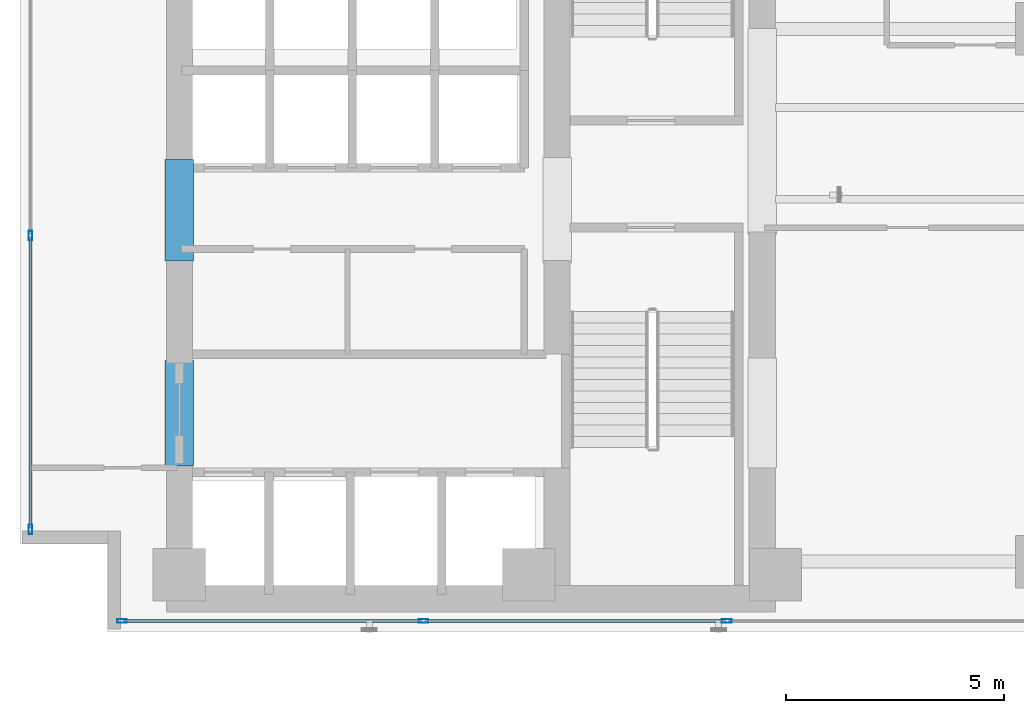
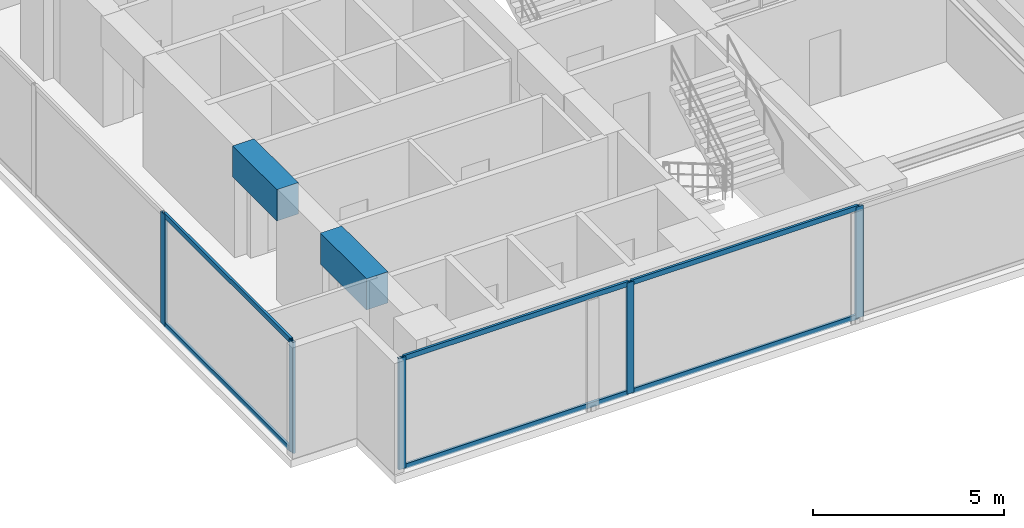
# One storey, part 2 of 23: 11 members, 2 beams, 2 elements without a shape of their own.
"""IFC4 building model written with IfcOpenShell, lengths in metres."""

from ifc_helpers import new_model, si_unit, direction, frame, origin, origin_with_axes, origin_2d, place, context, subcontext, project, spatial, rectangle, hollow_rectangle, extrude, source, transform, mapped, material, layer, layer_set, material_profile, profile_set, type_object, element, aggregate, save


model = new_model("IFC4")

# Units and contexts
model_context = context("Model", 3, precision=1e-05, world=origin(), true_north=direction((0.0, 1.0)))
body_context = subcontext(model_context, "Body", "Model", "MODEL_VIEW")
ifc_project = project(units=[si_unit("LENGTHUNIT", "METRE"), si_unit("AREAUNIT", "SQUARE_METRE"), si_unit("VOLUMEUNIT", "CUBIC_METRE"), si_unit("PLANEANGLEUNIT", "RADIAN"), si_unit("MASSUNIT", "GRAM", prefix="KILO")], contexts=[model_context])

# Site, building, storey
site_placement = place(None, origin())
site = spatial("IfcSite", under=ifc_project, at=site_placement, CompositionType="ELEMENT")
building_placement = place(site_placement, origin())
building = spatial("IfcBuilding", under=site, at=building_placement, Name="Kolvaren Waterfront Exchange", CompositionType="ELEMENT")
storey_placement = place(building_placement, frame((0.0, 0.0, 188.0)))
storey = spatial("IfcBuildingStorey", under=building, at=storey_placement, Name="L48", CompositionType="ELEMENT", Elevation=188.0)

# Beams
ifc_material_1 = material(Name="Concrete C60/75", Category="concrete")
ifc_material_profile_1 = material_profile(ifc_material_1, rectangle(XDim=0.64990234375, YDim=1.0, at=origin_2d()), Name="RC-CB-1000x650")
ifc_profile_set_1 = profile_set([ifc_material_profile_1], Name="Concrete C60/75")
beam_type = type_object("IfcBeamType", Name="STR-CB-1000", PredefinedType="SPANDREL", material=ifc_profile_set_1)
beam_1_placement = place(storey_placement, frame((7.449951171875, 7.389892578125, 3.06005859375), z_axis=(0.0, 1.0, 0.0), x_axis=(-1.0, 0.0, 0.0)))
element("IfcBeam", 1, at=beam_1_placement, inside=storey, type_object=beam_type, Name="L48 core coupling beam 3", PredefinedType="SPANDREL", context=body_context, shape_type="SweptSolid", body=[
    extrude(rectangle(XDim=0.64990234375, YDim=1.0, at=origin_2d()), origin(), (0.0, 0.0, 1.0), 2.420166015625),
])
beam_2_placement = place(storey_placement, frame((7.449951171875, 12.090087890625, 3.06005859375), z_axis=(0.0, 1.0, 0.0), x_axis=(-1.0, 0.0, 0.0)))
element("IfcBeam", 2, at=beam_2_placement, inside=storey, type_object=beam_type, Name="L48 core coupling beam 4", PredefinedType="SPANDREL", context=body_context, shape_type="SweptSolid", body=[
    extrude(rectangle(XDim=0.64990234375, YDim=1.0, at=origin_2d()), origin(), (0.0, 0.0, 1.0), 2.31982421875),
])

# Curtain wall, members
ifc_material_2 = material(Name="Anodised bronze aluminium 6063-T6", Category="aluminium")
ifc_layer_1 = layer(ifc_material_2, 0.219970703125, Name="Anodised bronze aluminium 6063-T6")
ifc_layer_set_1 = layer_set([ifc_layer_1], Name="Anodised bronze aluminium 6063-T6")
curtain_wall_type_1 = type_object("IfcCurtainWallType", Name="ARC-CW-SYS1", PredefinedType="USERDEFINED", material=ifc_layer_set_1)
curtain_wall_1_placement = place(storey_placement, origin())
curtain_wall_1 = element("IfcCurtainWall", 3, at=curtain_wall_1_placement, inside=storey, type_object=curtain_wall_type_1, Name="L48 stick curtain wall CW1 (CW-L48-S)", ObjectType="STICK CURTAIN WALL", PredefinedType="USERDEFINED")
ifc_material_3 = material(Name="Anodised aluminium 6063-T6", Category="aluminium")
ifc_material_profile_2 = material_profile(ifc_material_3, hollow_rectangle(XDim=0.080078125, YDim=0.219970703125, WallThickness=0.0048828125, at=origin_2d()), Name="ALU-MUL-220x80x5")
ifc_profile_set_2 = profile_set([ifc_material_profile_2], Name="Anodised aluminium 6063-T6")
member_type_1 = type_object("IfcMemberType", Name="ARC-CWM-220", PredefinedType="MULLION", material=ifc_profile_set_2)
shared_shape_1 = source(origin_with_axes(), body_context, "Body", "SweptSolid", [
    extrude(hollow_rectangle(XDim=0.080078125, YDim=0.219970703125, WallThickness=0.0048828125, at=origin_2d()), origin(), (0.0, 0.0, 1.0), 3.56005859375),
])
member_1_placement = place(storey_placement, frame((6.139892578125, 3.840087890625, 0.0), z_axis=(0.0, 0.0, 1.0), x_axis=(0.0, 1.0, 0.0)))
member_1 = element("IfcMember", 4, at=member_1_placement, type_object=member_type_1, Name="CW1 mullion 1", PredefinedType="MULLION", context=body_context, shape_type="MappedRepresentation", body=[
    mapped(shared_shape_1, transform((0.0, 0.0, 0.0), x_axis=(1.0, 0.0, 0.0), y_axis=(0.0, 1.0, 0.0), z_axis=(0.0, 0.0, 1.0), scale=1.0)),
])
member_2_placement = place(storey_placement, frame((13.04296875, 3.840087890625, 0.0), z_axis=(0.0, 0.0, 1.0), x_axis=(0.0, 1.0, 0.0)))
member_2 = element("IfcMember", 5, at=member_2_placement, type_object=member_type_1, Name="CW1 mullion 2", PredefinedType="MULLION", context=body_context, shape_type="MappedRepresentation", body=[
    mapped(shared_shape_1, transform((0.0, 0.0, 0.0), x_axis=(1.0, 0.0, 0.0), y_axis=(0.0, 1.0, 0.0), z_axis=(0.0, 0.0, 1.0), scale=1.0)),
])
member_3_placement = place(storey_placement, frame((19.985595703125, 3.840087890625, 0.0), z_axis=(0.0, 0.0, 1.0), x_axis=(0.0, 1.0, 0.0)))
member_3 = element("IfcMember", 6, at=member_3_placement, type_object=member_type_1, Name="CW1 mullion 3", PredefinedType="MULLION", context=body_context, shape_type="MappedRepresentation", body=[
    mapped(shared_shape_1, transform((0.0, 0.0, 0.0), x_axis=(1.0, 0.0, 0.0), y_axis=(0.0, 1.0, 0.0), z_axis=(0.0, 0.0, 1.0), scale=1.0)),
])

ifc_layer_2 = layer(ifc_material_3, 0.219970703125, Name="Anodised aluminium 6063-T6")
ifc_layer_set_2 = layer_set([ifc_layer_2], Name="Anodised aluminium 6063-T6")
curtain_wall_type_2 = type_object("IfcCurtainWallType", Name="ARC-CW-SYS2", PredefinedType="USERDEFINED", material=ifc_layer_set_2)
curtain_wall_2_placement = place(storey_placement, origin())
curtain_wall_2 = element("IfcCurtainWall", 7, at=curtain_wall_2_placement, inside=storey, type_object=curtain_wall_type_2, Name="L48 stick curtain wall CW2 (CW-L48-W)", ObjectType="STICK CURTAIN WALL", PredefinedType="USERDEFINED")
member_4_placement = place(storey_placement, frame((4.0400390625, 5.93994140625, 0.0), z_axis=(0.0, 0.0, 1.0), x_axis=(-1.0, 0.0, 0.0)))
member_4 = element("IfcMember", 8, at=member_4_placement, type_object=member_type_1, Name="CW2 mullion 1", PredefinedType="MULLION", context=body_context, shape_type="MappedRepresentation", body=[
    mapped(shared_shape_1, transform((0.0, 0.0, 0.0), x_axis=(1.0, 0.0, 0.0), y_axis=(0.0, 1.0, 0.0), z_axis=(0.0, 0.0, 1.0), scale=1.0)),
])
member_5_placement = place(storey_placement, frame((4.0400390625, 12.666748046875, 0.0), z_axis=(0.0, 0.0, 1.0), x_axis=(-1.0, 0.0, 0.0)))
member_5 = element("IfcMember", 9, at=member_5_placement, type_object=member_type_1, Name="CW2 mullion 2", PredefinedType="MULLION", context=body_context, shape_type="MappedRepresentation", body=[
    mapped(shared_shape_1, transform((0.0, 0.0, 0.0), x_axis=(1.0, 0.0, 0.0), y_axis=(0.0, 1.0, 0.0), z_axis=(0.0, 0.0, 1.0), scale=1.0)),
])

# Member
ifc_material_profile_3 = material_profile(ifc_material_3, hollow_rectangle(XDim=0.074951171875, YDim=0.159912109375, WallThickness=0.00439453125, at=origin_2d()), Name="ALU-TRN-160x75x4.5")
ifc_profile_set_3 = profile_set([ifc_material_profile_3], Name="Anodised aluminium 6063-T6")
member_type_2 = type_object("IfcMemberType", Name="ARC-CWT-160", PredefinedType="USERDEFINED", material=ifc_profile_set_3)
shared_shape_2 = source(origin_with_axes(), body_context, "Body", "SweptSolid", [
    extrude(hollow_rectangle(XDim=0.074951171875, YDim=0.159912109375, WallThickness=0.00439453125, at=origin_2d()), origin(), (0.0, 0.0, 1.0), 6.822998046875),
])
member_6_placement = place(storey_placement, frame((6.179931640625, 3.840087890625, 0.03759765625), z_axis=(1.0, 0.0, 0.0), x_axis=(0.0, 1.0, 0.0)))
member_6 = element("IfcMember", 10, at=member_6_placement, type_object=member_type_2, Name="CW1 transom 1.1", ObjectType="TRANSOM", PredefinedType="USERDEFINED", context=body_context, shape_type="MappedRepresentation", body=[
    mapped(shared_shape_2, transform((0.0, 0.0, 0.0), x_axis=(1.0, 0.0, 0.0), y_axis=(0.0, 1.0, 0.0), z_axis=(0.0, 0.0, 1.0), scale=1.0)),
])

member_7_placement = place(storey_placement, frame((6.179931640625, 3.840087890625, 3.5224609375), z_axis=(1.0, 0.0, 0.0), x_axis=(0.0, 1.0, 0.0)))
member_7 = element("IfcMember", 11, at=member_7_placement, type_object=member_type_2, Name="CW1 transom 1.2", ObjectType="TRANSOM", PredefinedType="USERDEFINED", context=body_context, shape_type="MappedRepresentation", body=[
    mapped(shared_shape_2, transform((0.0, 0.0, 0.0), x_axis=(1.0, 0.0, 0.0), y_axis=(0.0, 1.0, 0.0), z_axis=(0.0, 0.0, 1.0), scale=1.0)),
])

shared_shape_3 = source(origin_with_axes(), body_context, "Body", "SweptSolid", [
    extrude(hollow_rectangle(XDim=0.074951171875, YDim=0.159912109375, WallThickness=0.00439453125, at=origin_2d()), origin(), (0.0, 0.0, 1.0), 6.863037109375),
])
member_8_placement = place(storey_placement, frame((13.082763671875, 3.840087890625, 0.03759765625), z_axis=(1.0, 0.0, 0.0), x_axis=(0.0, 1.0, 0.0)))
member_8 = element("IfcMember", 12, at=member_8_placement, type_object=member_type_2, Name="CW1 transom 2.1", ObjectType="TRANSOM", PredefinedType="USERDEFINED", context=body_context, shape_type="MappedRepresentation", body=[
    mapped(shared_shape_3, transform((0.0, 0.0, 0.0), x_axis=(1.0, 0.0, 0.0), y_axis=(0.0, 1.0, 0.0), z_axis=(0.0, 0.0, 1.0), scale=1.0)),
])

member_9_placement = place(storey_placement, frame((13.082763671875, 3.840087890625, 3.5224609375), z_axis=(1.0, 0.0, 0.0), x_axis=(0.0, 1.0, 0.0)))
member_9 = element("IfcMember", 13, at=member_9_placement, type_object=member_type_2, Name="CW1 transom 2.2", ObjectType="TRANSOM", PredefinedType="USERDEFINED", context=body_context, shape_type="MappedRepresentation", body=[
    mapped(shared_shape_3, transform((0.0, 0.0, 0.0), x_axis=(1.0, 0.0, 0.0), y_axis=(0.0, 1.0, 0.0), z_axis=(0.0, 0.0, 1.0), scale=1.0)),
])

aggregate(curtain_wall_1, [member_1, member_2, member_3, member_6, member_7, member_8, member_9])

shared_shape_4 = source(origin_with_axes(), body_context, "Body", "SweptSolid", [
    extrude(hollow_rectangle(XDim=0.074951171875, YDim=0.159912109375, WallThickness=0.00439453125, at=origin_2d()), origin(), (0.0, 0.0, 1.0), 6.646728515625),
])
member_10_placement = place(storey_placement, frame((4.0400390625, 5.97998046875, 0.03759765625), z_axis=(0.0, 1.0, 0.0), x_axis=(-1.0, 0.0, 0.0)))
member_10 = element("IfcMember", 14, at=member_10_placement, type_object=member_type_2, Name="CW2 transom 1.1", ObjectType="TRANSOM", PredefinedType="USERDEFINED", context=body_context, shape_type="MappedRepresentation", body=[
    mapped(shared_shape_4, transform((0.0, 0.0, 0.0), x_axis=(1.0, 0.0, 0.0), y_axis=(0.0, 1.0, 0.0), z_axis=(0.0, 0.0, 1.0), scale=1.0)),
])

member_11_placement = place(storey_placement, frame((4.0400390625, 5.97998046875, 3.5224609375), z_axis=(0.0, 1.0, 0.0), x_axis=(-1.0, 0.0, 0.0)))
member_11 = element("IfcMember", 15, at=member_11_placement, type_object=member_type_2, Name="CW2 transom 1.2", ObjectType="TRANSOM", PredefinedType="USERDEFINED", context=body_context, shape_type="MappedRepresentation", body=[
    mapped(shared_shape_4, transform((0.0, 0.0, 0.0), x_axis=(1.0, 0.0, 0.0), y_axis=(0.0, 1.0, 0.0), z_axis=(0.0, 0.0, 1.0), scale=1.0)),
])

aggregate(curtain_wall_2, [member_4, member_5, member_10, member_11])

save(model, "model.ifc")
